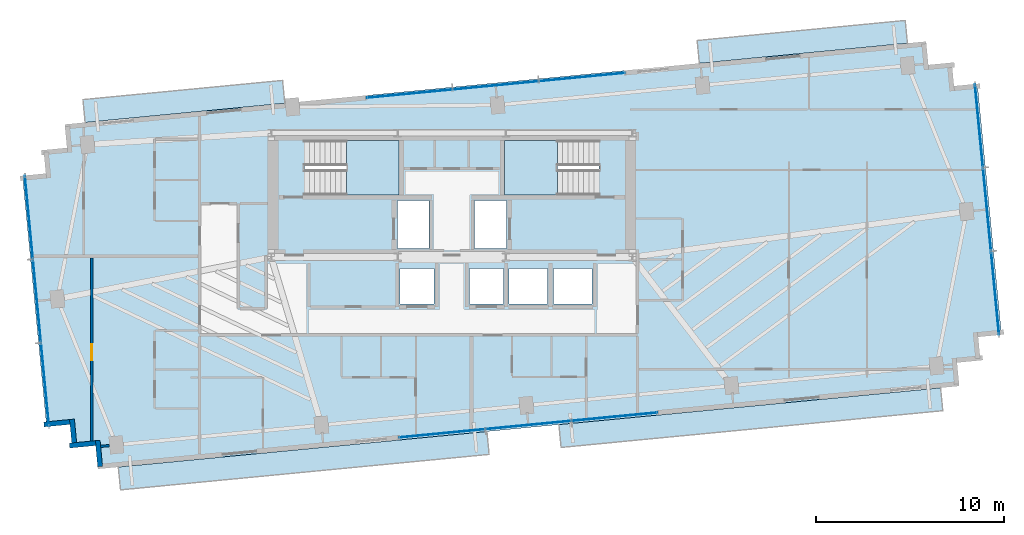
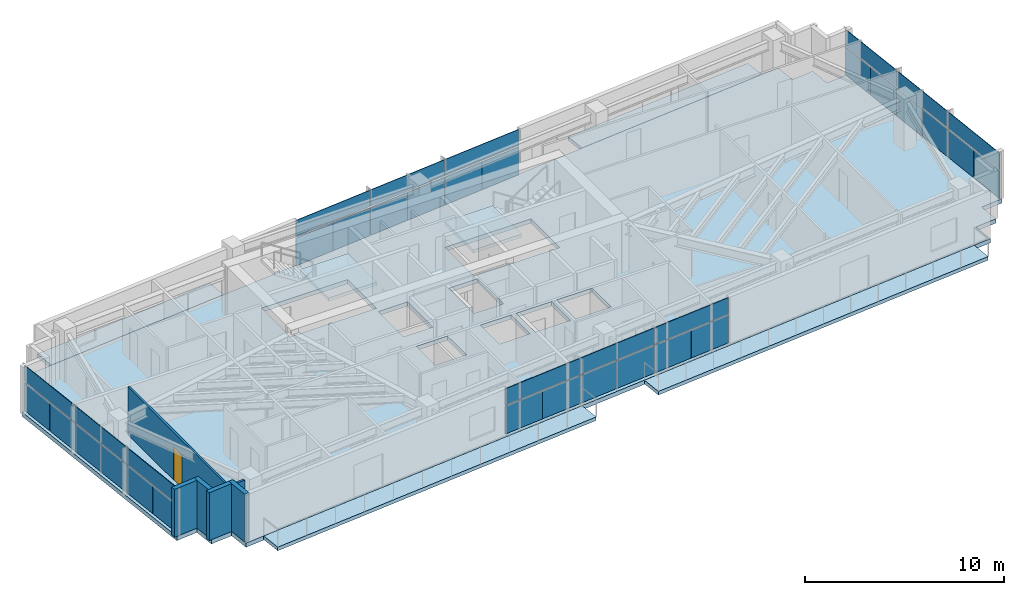
# One storey, part 12 of 18: 36 plates, 7 slabs, 6 walls, 1 door, 1 opening, 6 elements without a shape of their own.
"""IFC4 building model written with IfcOpenShell, lengths in metres."""

from ifc_helpers import new_model, si_unit, direction, frame, frame_2d, origin, origin_2d, place, context, subcontext, project, spatial, polyline, rectangle, outline, extrude, source, transform, mapped, material, layer, layer_set, type_object, type_shapes, element, fill, aggregate, save


model = new_model("IFC4")

# Units and contexts
model_context = context("Model", 3, precision=1e-05, world=origin(), true_north=direction((0.0, 1.0)))
body_context = subcontext(model_context, "Body", "Model", "MODEL_VIEW")
ifc_project = project(units=[si_unit("LENGTHUNIT", "METRE"), si_unit("AREAUNIT", "SQUARE_METRE"), si_unit("VOLUMEUNIT", "CUBIC_METRE"), si_unit("PLANEANGLEUNIT", "RADIAN"), si_unit("MASSUNIT", "GRAM", prefix="KILO")], contexts=[model_context])

# Site, building, storey
site_placement = place(None, origin())
site = spatial("IfcSite", under=ifc_project, at=site_placement, CompositionType="ELEMENT")
building_placement = place(site_placement, origin())
building = spatial("IfcBuilding", under=site, at=building_placement, Name="Astriad Promenade Condominiums", CompositionType="ELEMENT")
storey_placement = place(building_placement, frame((0.0, 0.0, 179.39990234375)))
storey = spatial("IfcBuildingStorey", under=building, at=storey_placement, Name="L51", CompositionType="ELEMENT", Elevation=179.39990234375)

# Slab
ifc_material_1 = material(Name="Concrete C50/60", Category="concrete")
ifc_layer_1 = layer(ifc_material_1, 0.260009765625)
ifc_layer_set_1 = layer_set([ifc_layer_1], Name="Concrete C50/60")
slab_type_1 = type_object("IfcSlabType", Name="CONCRETE TOWER FLOOR SLAB 260", PredefinedType="FLOOR", material=ifc_layer_set_1)
slab_1_placement = place(storey_placement, frame((0.0, 0.0, -0.260009765625)))
element("IfcSlab", 1, at=slab_1_placement, inside=storey, type_object=slab_type_1, Name="Structural Floor Slab (L51)", PredefinedType="FLOOR", context=body_context, shape_type="SweptSolid", body=[
    extrude(outline(polyline([(17.187744140625, 6.137939453125), (62.975830078125, 10.546875), (62.856201171875, 11.791015625), (64.100341796875, 11.910888671875), (63.98046875, 13.155029296875), (65.224853515625, 13.27490234375), (63.9404296875, 26.61328125), (62.6962890625, 26.493408203125), (62.576416015625, 27.73779296875), (61.33203125, 27.617919921875), (61.21240234375, 28.862060546875), (15.424072265625, 24.453125), (15.5439453125, 23.208984375), (14.2998046875, 23.089111328125), (14.41943359375, 21.844970703125), (13.17529296875, 21.72509765625), (14.459716796875, 8.38671875), (15.703857421875, 8.506591796875), (15.823486328125, 7.26220703125), (17.06787109375, 7.382080078125), (17.187744140625, 6.137939453125)]), holes=[polyline([(28.175048828125, 20.699951171875), (33.175048828125, 20.699951171875), (33.175048828125, 23.60009765625), (28.175048828125, 23.60009765625), (28.175048828125, 20.699951171875)]), polyline([(38.824951171875, 20.699951171875), (43.824951171875, 20.699951171875), (43.824951171875, 23.60009765625), (38.824951171875, 23.60009765625), (38.824951171875, 20.699951171875)]), polyline([(33.10009765625, 17.85009765625), (34.800048828125, 17.85009765625), (34.800048828125, 20.39990234375), (33.10009765625, 20.39990234375), (33.10009765625, 17.85009765625)]), polyline([(37.199951171875, 17.85009765625), (38.89990234375, 17.85009765625), (38.89990234375, 20.39990234375), (37.199951171875, 20.39990234375), (37.199951171875, 17.85009765625)]), polyline([(33.25, 14.89990234375), (35.050048828125, 14.89990234375), (35.050048828125, 16.800048828125), (33.25, 16.800048828125), (33.25, 14.89990234375)]), polyline([(36.949951171875, 14.89990234375), (38.75, 14.89990234375), (38.75, 16.800048828125), (36.949951171875, 16.800048828125), (36.949951171875, 14.89990234375)]), polyline([(39.050048828125, 14.89990234375), (41.10009765625, 14.89990234375), (41.10009765625, 16.800048828125), (39.050048828125, 16.800048828125), (39.050048828125, 14.89990234375)]), polyline([(41.39990234375, 14.89990234375), (43.449951171875, 14.89990234375), (43.449951171875, 16.800048828125), (41.39990234375, 16.800048828125), (41.39990234375, 14.89990234375)])]), origin(), (0.0, 0.0, 1.0), 0.260009765625),
])

# Stair, slab
stair_type = type_object("IfcStairType", Name="STR-CORE-1350", PredefinedType="HALF_TURN_STAIR", material=ifc_material_1)
stair_1_placement = place(storey_placement, origin())
stair_1 = element("IfcStair", 2, at=stair_1_placement, inside=storey, type_object=stair_type, Name="L51 Enclosed Core Exit Stair ST-1", PredefinedType="HALF_TURN_STAIR")
ifc_layer_2 = layer(ifc_material_1, 0.219970703125)
ifc_layer_set_2 = layer_set([ifc_layer_2], Name="Concrete C50/60")
slab_type_2 = type_object("IfcSlabType", Name="SLB-LANDING-220", PredefinedType="LANDING", material=ifc_layer_set_2)
slab_2_placement = place(storey_placement, frame((0.0, 0.0, 1.400146484375)))
slab_2 = element("IfcSlab", 3, at=slab_2_placement, type_object=slab_type_2, Name="ST-1 landing 1", PredefinedType="LANDING", context=body_context, shape_type="SweptSolid", body=[
    extrude(outline(polyline([(30.389892578125, 20.699951171875), (33.199951171875, 20.699951171875), (33.199951171875, 23.60009765625), (30.389892578125, 23.60009765625), (30.389892578125, 20.699951171875)])), origin(), (0.0, 0.0, 1.0), 0.199951171875),
])
aggregate(stair_1, [slab_2])

stair_2_placement = place(storey_placement, origin())
stair_2 = element("IfcStair", 4, at=stair_2_placement, inside=storey, type_object=stair_type, Name="L51 Enclosed Core Exit Stair ST-2", PredefinedType="HALF_TURN_STAIR")
slab_3_placement = place(storey_placement, frame((0.0, 0.0, 1.400146484375)))
slab_3 = element("IfcSlab", 5, at=slab_3_placement, type_object=slab_type_2, Name="ST-2 landing 1", PredefinedType="LANDING", context=body_context, shape_type="SweptSolid", body=[
    extrude(outline(polyline([(41.610107421875, 23.60009765625), (38.800048828125, 23.60009765625), (38.800048828125, 20.699951171875), (41.610107421875, 20.699951171875), (41.610107421875, 23.60009765625)])), origin(), (0.0, 0.0, 1.0), 0.199951171875),
])
aggregate(stair_2, [slab_3])

# Slabs
ifc_material_2 = material(Name="Precast concrete C50/60", Category="concrete")
ifc_layer_3 = layer(ifc_material_2, 0.219970703125)
ifc_layer_set_3 = layer_set([ifc_layer_3], Name="Precast concrete C50/60")
slab_type_3 = type_object("IfcSlabType", Name="WHITE PRECAST CONCRETE WAVE BALCONY SLAB 220", PredefinedType="FLOOR", material=ifc_layer_set_3)
slab_4_placement = place(storey_placement, frame((0.0, 0.0, -0.219970703125)))
element("IfcSlab", 6, at=slab_4_placement, inside=storey, type_object=slab_type_3, Name="White Precast Wave Balcony Slab BAL-L51-SW", PredefinedType="FLOOR", context=body_context, shape_type="SweptSolid", body=[
    extrude(outline(polyline([(37.98193359375, 6.91455078125), (18.388671875, 5.02783203125), (18.27197265625, 6.240234375), (37.865234375, 8.126953125), (37.98193359375, 6.91455078125)])), origin(), (0.0, 0.0, 1.0), 0.219970703125),
])
slab_5_placement = place(storey_placement, frame((0.0, 0.0, -0.219970703125)))
element("IfcSlab", 7, at=slab_5_placement, inside=storey, type_object=slab_type_3, Name="White Precast Wave Balcony Slab BAL-L51-SE", PredefinedType="FLOOR", context=body_context, shape_type="SweptSolid", body=[
    extrude(outline(polyline([(62.099365234375, 9.23681640625), (41.809326171875, 7.283203125), (41.6923828125, 8.495361328125), (61.982666015625, 10.44921875), (62.099365234375, 9.23681640625)])), origin(), (0.0, 0.0, 1.0), 0.219970703125),
])
slab_6_placement = place(storey_placement, frame((0.0, 0.0, -0.219970703125)))
element("IfcSlab", 8, at=slab_6_placement, inside=storey, type_object=slab_type_3, Name="White Precast Wave Balcony Slab BAL-L51-NW", PredefinedType="FLOOR", context=body_context, shape_type="SweptSolid", body=[
    extrude(outline(polyline([(16.508056640625, 24.5576171875), (27.1201171875, 25.579345703125), (27.003173828125, 26.793701171875), (16.39111328125, 25.77197265625), (16.508056640625, 24.5576171875)])), origin(), (0.0, 0.0, 1.0), 0.219970703125),
])
slab_7_placement = place(storey_placement, frame((0.0, 0.0, -0.219970703125)))
element("IfcSlab", 9, at=slab_7_placement, inside=storey, type_object=slab_type_3, Name="White Precast Wave Balcony Slab BAL-L51-NE", PredefinedType="FLOOR", context=body_context, shape_type="SweptSolid", body=[
    extrude(outline(polyline([(49.041259765625, 28.915771484375), (60.10205078125, 29.980712890625), (60.21875, 28.768310546875), (49.157958984375, 27.703369140625), (49.041259765625, 28.915771484375)])), origin(), (0.0, 0.0, 1.0), 0.219970703125),
])

# Curtain wall, plates
ifc_material_3 = material(Name="Anodised aluminium Black Dark Glass Unitised", Category="aluminium")
curtain_wall_type = type_object("IfcCurtainWallType", Name="CW-B34-DARK", PredefinedType="USERDEFINED", material=ifc_material_3)
curtain_wall_1_placement = place(storey_placement, origin())
curtain_wall_1 = element("IfcCurtainWall", 10, at=curtain_wall_1_placement, inside=storey, type_object=curtain_wall_type, Name="CW-L51-W", ObjectType="UNITISED_CURTAIN_WALL", PredefinedType="USERDEFINED")
ifc_material_4 = material(Name="Dark Tinted Low-E Laminated Glass", Category="glass")
ifc_layer_4 = layer(ifc_material_4, 0.035888671875)
ifc_layer_set_4 = layer_set([ifc_layer_4], Name="Dark Tinted Low-E Laminated Glass")
plate_type = type_object("IfcPlateType", Name="PNL-DARK-GLASS-36", PredefinedType="CURTAIN_PANEL", material=ifc_layer_set_4)
shared_shape_1 = source(origin(), body_context, "Body", "SweptSolid", [
    extrude(rectangle(XDim=2.22119140625, YDim=0.035888671875, at=origin_2d()), origin(), (0.0, 0.0, 1.0), 1.702880859375),
])
plate_1_placement = place(storey_placement, frame((14.48193359375, 9.5107421875, 0.080078125), z_axis=(0.0, 0.0, 1.0), x_axis=(-0.09584575252, 0.995396198367, 0.0)))
plate_1 = element("IfcPlate", 11, at=plate_1_placement, type_object=plate_type, Name="CW-L51-W-PNL-00-VL", PredefinedType="CURTAIN_PANEL", context=body_context, shape_type="MappedRepresentation", body=[
    mapped(shared_shape_1, transform((0.0, 0.0, 0.0), scale=1.0)),
])
plate_2_placement = place(storey_placement, frame((14.267822265625, 11.73388671875, 0.080078125), z_axis=(0.0, 0.0, 1.0), x_axis=(-0.09584575252, 0.995396198367, 0.0)))
plate_2 = element("IfcPlate", 12, at=plate_2_placement, type_object=plate_type, Name="CW-L51-W-PNL-00-VR", PredefinedType="CURTAIN_PANEL", context=body_context, shape_type="MappedRepresentation", body=[
    mapped(shared_shape_1, transform((0.0, 0.0, 0.0), scale=1.0)),
])
plate_3_placement = place(storey_placement, frame((14.053955078125, 13.956787109375, 0.080078125), z_axis=(0.0, 0.0, 1.0), x_axis=(-0.09584575252, 0.995396198367, 0.0)))
plate_3 = element("IfcPlate", 13, at=plate_3_placement, type_object=plate_type, Name="CW-L51-W-PNL-01-VL", PredefinedType="CURTAIN_PANEL", context=body_context, shape_type="MappedRepresentation", body=[
    mapped(shared_shape_1, transform((0.0, 0.0, 0.0), scale=1.0)),
])
plate_4_placement = place(storey_placement, frame((13.839599609375, 16.179931640625, 0.080078125), z_axis=(0.0, 0.0, 1.0), x_axis=(-0.09584575252, 0.995396198367, 0.0)))
plate_4 = element("IfcPlate", 14, at=plate_4_placement, type_object=plate_type, Name="CW-L51-W-PNL-01-VR", PredefinedType="CURTAIN_PANEL", context=body_context, shape_type="MappedRepresentation", body=[
    mapped(shared_shape_1, transform((0.0, 0.0, 0.0), scale=1.0)),
])
plate_5_placement = place(storey_placement, frame((13.625732421875, 18.403076171875, 0.080078125), z_axis=(0.0, 0.0, 1.0), x_axis=(-0.09584575252, 0.995396198367, 0.0)))
plate_5 = element("IfcPlate", 15, at=plate_5_placement, type_object=plate_type, Name="CW-L51-W-PNL-02-VL", PredefinedType="CURTAIN_PANEL", context=body_context, shape_type="MappedRepresentation", body=[
    mapped(shared_shape_1, transform((0.0, 0.0, 0.0), scale=1.0)),
])
plate_6_placement = place(storey_placement, frame((13.41162109375, 20.626220703125, 0.080078125), z_axis=(0.0, 0.0, 1.0), x_axis=(-0.09584575252, 0.995396198367, 0.0)))
plate_6 = element("IfcPlate", 16, at=plate_6_placement, type_object=plate_type, Name="CW-L51-W-PNL-02-VR", PredefinedType="CURTAIN_PANEL", context=body_context, shape_type="MappedRepresentation", body=[
    mapped(shared_shape_1, transform((0.0, 0.0, 0.0), scale=1.0)),
])

curtain_wall_2_placement = place(storey_placement, origin())
curtain_wall_2 = element("IfcCurtainWall", 17, at=curtain_wall_2_placement, inside=storey, type_object=curtain_wall_type, Name="CW-L51-E", ObjectType="UNITISED_CURTAIN_WALL", PredefinedType="USERDEFINED")
plate_7_placement = place(storey_placement, frame((63.91796875, 25.4892578125, 0.080078125), z_axis=(0.0, 0.0, 1.0), x_axis=(0.09584575252, -0.995396198367, 0.0)))
plate_7 = element("IfcPlate", 18, at=plate_7_placement, type_object=plate_type, Name="CW-L51-E-PNL-00-VL", PredefinedType="CURTAIN_PANEL", context=body_context, shape_type="MappedRepresentation", body=[
    mapped(shared_shape_1, transform((0.0, 0.0, 0.0), scale=1.0)),
])
plate_8_placement = place(storey_placement, frame((64.132080078125, 23.26611328125, 0.080078125), z_axis=(0.0, 0.0, 1.0), x_axis=(0.09584575252, -0.995396198367, 0.0)))
plate_8 = element("IfcPlate", 19, at=plate_8_placement, type_object=plate_type, Name="CW-L51-E-PNL-00-VR", PredefinedType="CURTAIN_PANEL", context=body_context, shape_type="MappedRepresentation", body=[
    mapped(shared_shape_1, transform((0.0, 0.0, 0.0), scale=1.0)),
])
plate_9_placement = place(storey_placement, frame((64.34619140625, 21.043212890625, 0.080078125), z_axis=(0.0, 0.0, 1.0), x_axis=(0.09584575252, -0.995396198367, 0.0)))
plate_9 = element("IfcPlate", 20, at=plate_9_placement, type_object=plate_type, Name="CW-L51-E-PNL-01-VL", PredefinedType="CURTAIN_PANEL", context=body_context, shape_type="MappedRepresentation", body=[
    mapped(shared_shape_1, transform((0.0, 0.0, 0.0), scale=1.0)),
])
plate_10_placement = place(storey_placement, frame((64.560302734375, 18.820068359375, 0.080078125), z_axis=(0.0, 0.0, 1.0), x_axis=(0.09584575252, -0.995396198367, 0.0)))
plate_10 = element("IfcPlate", 21, at=plate_10_placement, type_object=plate_type, Name="CW-L51-E-PNL-01-VR", PredefinedType="CURTAIN_PANEL", context=body_context, shape_type="MappedRepresentation", body=[
    mapped(shared_shape_1, transform((0.0, 0.0, 0.0), scale=1.0)),
])
plate_11_placement = place(storey_placement, frame((64.7744140625, 16.596923828125, 0.080078125), z_axis=(0.0, 0.0, 1.0), x_axis=(0.09584575252, -0.995396198367, 0.0)))
plate_11 = element("IfcPlate", 22, at=plate_11_placement, type_object=plate_type, Name="CW-L51-E-PNL-02-VL", PredefinedType="CURTAIN_PANEL", context=body_context, shape_type="MappedRepresentation", body=[
    mapped(shared_shape_1, transform((0.0, 0.0, 0.0), scale=1.0)),
])
plate_12_placement = place(storey_placement, frame((64.98828125, 14.373779296875, 0.080078125), z_axis=(0.0, 0.0, 1.0), x_axis=(0.09584575252, -0.995396198367, 0.0)))
plate_12 = element("IfcPlate", 23, at=plate_12_placement, type_object=plate_type, Name="CW-L51-E-PNL-02-VR", PredefinedType="CURTAIN_PANEL", context=body_context, shape_type="MappedRepresentation", body=[
    mapped(shared_shape_1, transform((0.0, 0.0, 0.0), scale=1.0)),
])

# Plate
shared_shape_2 = source(origin(), body_context, "Body", "SweptSolid", [
    extrude(rectangle(XDim=4.45458984375, YDim=0.035888671875, at=origin_2d()), origin(), (0.0, 0.0, 1.0), 0.997314453125),
])
plate_13_placement = place(storey_placement, frame((14.375, 10.622314453125, 1.86279296875), z_axis=(0.0, 0.0, 1.0), x_axis=(-0.09584575252, 0.995396198367, 0.0)))
plate_13 = element("IfcPlate", 24, at=plate_13_placement, type_object=plate_type, Name="CW-L51-W-PNL-00-S", PredefinedType="CURTAIN_PANEL", context=body_context, shape_type="MappedRepresentation", body=[
    mapped(shared_shape_2, transform((0.0, 0.0, 0.0), scale=1.0)),
])

plate_14_placement = place(storey_placement, frame((13.94677734375, 15.068359375, 1.86279296875), z_axis=(0.0, 0.0, 1.0), x_axis=(-0.09584575252, 0.995396198367, 0.0)))
plate_14 = element("IfcPlate", 25, at=plate_14_placement, type_object=plate_type, Name="CW-L51-W-PNL-01-S", PredefinedType="CURTAIN_PANEL", context=body_context, shape_type="MappedRepresentation", body=[
    mapped(shared_shape_2, transform((0.0, 0.0, 0.0), scale=1.0)),
])

plate_15_placement = place(storey_placement, frame((13.518798828125, 19.514404296875, 1.86279296875), z_axis=(0.0, 0.0, 1.0), x_axis=(-0.09584575252, 0.995396198367, 0.0)))
plate_15 = element("IfcPlate", 26, at=plate_15_placement, type_object=plate_type, Name="CW-L51-W-PNL-02-S", PredefinedType="CURTAIN_PANEL", context=body_context, shape_type="MappedRepresentation", body=[
    mapped(shared_shape_2, transform((0.0, 0.0, 0.0), scale=1.0)),
])

aggregate(curtain_wall_1, [plate_1, plate_2, plate_13, plate_3, plate_4, plate_14, plate_5, plate_6, plate_15])

plate_16_placement = place(storey_placement, frame((64.02490234375, 24.377685546875, 1.86279296875), z_axis=(0.0, 0.0, 1.0), x_axis=(0.09584575252, -0.995396198367, 0.0)))
plate_16 = element("IfcPlate", 27, at=plate_16_placement, type_object=plate_type, Name="CW-L51-E-PNL-00-S", PredefinedType="CURTAIN_PANEL", context=body_context, shape_type="MappedRepresentation", body=[
    mapped(shared_shape_2, transform((0.0, 0.0, 0.0), scale=1.0)),
])

plate_17_placement = place(storey_placement, frame((64.453125, 19.931640625, 1.86279296875), z_axis=(0.0, 0.0, 1.0), x_axis=(0.09584575252, -0.995396198367, 0.0)))
plate_17 = element("IfcPlate", 28, at=plate_17_placement, type_object=plate_type, Name="CW-L51-E-PNL-01-S", PredefinedType="CURTAIN_PANEL", context=body_context, shape_type="MappedRepresentation", body=[
    mapped(shared_shape_2, transform((0.0, 0.0, 0.0), scale=1.0)),
])

plate_18_placement = place(storey_placement, frame((64.88134765625, 15.485595703125, 1.86279296875), z_axis=(0.0, 0.0, 1.0), x_axis=(0.09584575252, -0.995396198367, 0.0)))
plate_18 = element("IfcPlate", 29, at=plate_18_placement, type_object=plate_type, Name="CW-L51-E-PNL-02-S", PredefinedType="CURTAIN_PANEL", context=body_context, shape_type="MappedRepresentation", body=[
    mapped(shared_shape_2, transform((0.0, 0.0, 0.0), scale=1.0)),
])

aggregate(curtain_wall_2, [plate_7, plate_8, plate_16, plate_9, plate_10, plate_17, plate_11, plate_12, plate_18])

# Curtain wall, plates
curtain_wall_3_placement = place(storey_placement, origin())
curtain_wall_3 = element("IfcCurtainWall", 30, at=curtain_wall_3_placement, inside=storey, type_object=curtain_wall_type, Name="CW-L51-N", ObjectType="UNITISED_CURTAIN_WALL", PredefinedType="USERDEFINED")
shared_shape_3 = source(origin(), body_context, "Body", "SweptSolid", [
    extrude(rectangle(XDim=2.2880859375, YDim=0.035888671875, at=origin_2d()), origin(), (0.0, 0.0, 1.0), 1.702880859375),
])
plate_19_placement = place(storey_placement, frame((32.607177734375, 25.97705078125, 0.080078125), z_axis=(0.0, 0.0, 1.0), x_axis=(0.995396198367, 0.09584575252, 0.0)))
plate_19 = element("IfcPlate", 31, at=plate_19_placement, type_object=plate_type, Name="CW-L51-N-PNL-00-VL", PredefinedType="CURTAIN_PANEL", context=body_context, shape_type="MappedRepresentation", body=[
    mapped(shared_shape_3, transform((0.0, 0.0, 0.0), scale=1.0)),
])
plate_20_placement = place(storey_placement, frame((34.896484375, 26.197509765625, 0.080078125), z_axis=(0.0, 0.0, 1.0), x_axis=(0.995396198367, 0.09584575252, 0.0)))
plate_20 = element("IfcPlate", 32, at=plate_20_placement, type_object=plate_type, Name="CW-L51-N-PNL-00-VR", PredefinedType="CURTAIN_PANEL", context=body_context, shape_type="MappedRepresentation", body=[
    mapped(shared_shape_3, transform((0.0, 0.0, 0.0), scale=1.0)),
])
plate_21_placement = place(storey_placement, frame((37.18603515625, 26.41796875, 0.080078125), z_axis=(0.0, 0.0, 1.0), x_axis=(0.995396198367, 0.09584575252, 0.0)))
plate_21 = element("IfcPlate", 33, at=plate_21_placement, type_object=plate_type, Name="CW-L51-N-PNL-01-VL", PredefinedType="CURTAIN_PANEL", context=body_context, shape_type="MappedRepresentation", body=[
    mapped(shared_shape_3, transform((0.0, 0.0, 0.0), scale=1.0)),
])
plate_22_placement = place(storey_placement, frame((39.475341796875, 26.638427734375, 0.080078125), z_axis=(0.0, 0.0, 1.0), x_axis=(0.995396198367, 0.09584575252, 0.0)))
plate_22 = element("IfcPlate", 34, at=plate_22_placement, type_object=plate_type, Name="CW-L51-N-PNL-01-VR", PredefinedType="CURTAIN_PANEL", context=body_context, shape_type="MappedRepresentation", body=[
    mapped(shared_shape_3, transform((0.0, 0.0, 0.0), scale=1.0)),
])
plate_23_placement = place(storey_placement, frame((41.764892578125, 26.85888671875, 0.080078125), z_axis=(0.0, 0.0, 1.0), x_axis=(0.995396198367, 0.09584575252, 0.0)))
plate_23 = element("IfcPlate", 35, at=plate_23_placement, type_object=plate_type, Name="CW-L51-N-PNL-02-VL", PredefinedType="CURTAIN_PANEL", context=body_context, shape_type="MappedRepresentation", body=[
    mapped(shared_shape_3, transform((0.0, 0.0, 0.0), scale=1.0)),
])
plate_24_placement = place(storey_placement, frame((44.05419921875, 27.079345703125, 0.080078125), z_axis=(0.0, 0.0, 1.0), x_axis=(0.995396198367, 0.09584575252, 0.0)))
plate_24 = element("IfcPlate", 36, at=plate_24_placement, type_object=plate_type, Name="CW-L51-N-PNL-02-VR", PredefinedType="CURTAIN_PANEL", context=body_context, shape_type="MappedRepresentation", body=[
    mapped(shared_shape_3, transform((0.0, 0.0, 0.0), scale=1.0)),
])

curtain_wall_4_placement = place(storey_placement, origin())
curtain_wall_4 = element("IfcCurtainWall", 37, at=curtain_wall_4_placement, inside=storey, type_object=curtain_wall_type, Name="CW-L51-S", ObjectType="UNITISED_CURTAIN_WALL", PredefinedType="USERDEFINED")
plate_25_placement = place(storey_placement, frame((45.792724609375, 9.02294921875, 0.080078125), z_axis=(0.0, 0.0, 1.0), x_axis=(-0.995396198367, -0.09584575252, 0.0)))
plate_25 = element("IfcPlate", 38, at=plate_25_placement, type_object=plate_type, Name="CW-L51-S-PNL-00-VL", PredefinedType="CURTAIN_PANEL", context=body_context, shape_type="MappedRepresentation", body=[
    mapped(shared_shape_3, transform((0.0, 0.0, 0.0), scale=1.0)),
])
plate_26_placement = place(storey_placement, frame((43.50341796875, 8.802490234375, 0.080078125), z_axis=(0.0, 0.0, 1.0), x_axis=(-0.995396198367, -0.09584575252, 0.0)))
plate_26 = element("IfcPlate", 39, at=plate_26_placement, type_object=plate_type, Name="CW-L51-S-PNL-00-VR", PredefinedType="CURTAIN_PANEL", context=body_context, shape_type="MappedRepresentation", body=[
    mapped(shared_shape_3, transform((0.0, 0.0, 0.0), scale=1.0)),
])
plate_27_placement = place(storey_placement, frame((41.214111328125, 8.58203125, 0.080078125), z_axis=(0.0, 0.0, 1.0), x_axis=(-0.995396198367, -0.09584575252, 0.0)))
plate_27 = element("IfcPlate", 40, at=plate_27_placement, type_object=plate_type, Name="CW-L51-S-PNL-01-VL", PredefinedType="CURTAIN_PANEL", context=body_context, shape_type="MappedRepresentation", body=[
    mapped(shared_shape_3, transform((0.0, 0.0, 0.0), scale=1.0)),
])
plate_28_placement = place(storey_placement, frame((38.924560546875, 8.361572265625, 0.080078125), z_axis=(0.0, 0.0, 1.0), x_axis=(-0.995396198367, -0.09584575252, 0.0)))
plate_28 = element("IfcPlate", 41, at=plate_28_placement, type_object=plate_type, Name="CW-L51-S-PNL-01-VR", PredefinedType="CURTAIN_PANEL", context=body_context, shape_type="MappedRepresentation", body=[
    mapped(shared_shape_3, transform((0.0, 0.0, 0.0), scale=1.0)),
])
plate_29_placement = place(storey_placement, frame((36.63525390625, 8.14111328125, 0.080078125), z_axis=(0.0, 0.0, 1.0), x_axis=(-0.995396198367, -0.09584575252, 0.0)))
plate_29 = element("IfcPlate", 42, at=plate_29_placement, type_object=plate_type, Name="CW-L51-S-PNL-02-VL", PredefinedType="CURTAIN_PANEL", context=body_context, shape_type="MappedRepresentation", body=[
    mapped(shared_shape_3, transform((0.0, 0.0, 0.0), scale=1.0)),
])
plate_30_placement = place(storey_placement, frame((34.345703125, 7.920654296875, 0.080078125), z_axis=(0.0, 0.0, 1.0), x_axis=(-0.995396198367, -0.09584575252, 0.0)))
plate_30 = element("IfcPlate", 43, at=plate_30_placement, type_object=plate_type, Name="CW-L51-S-PNL-02-VR", PredefinedType="CURTAIN_PANEL", context=body_context, shape_type="MappedRepresentation", body=[
    mapped(shared_shape_3, transform((0.0, 0.0, 0.0), scale=1.0)),
])

# Plate
shared_shape_4 = source(origin(), body_context, "Body", "SweptSolid", [
    extrude(rectangle(XDim=4.587890625, YDim=0.035888671875, at=origin_2d()), origin(), (0.0, 0.0, 1.0), 0.997314453125),
])
type_shapes(plate_type, [shared_shape_1, shared_shape_2, shared_shape_3, shared_shape_4])
plate_31_placement = place(storey_placement, frame((33.751953125, 26.08740234375, 1.86279296875), z_axis=(0.0, 0.0, 1.0), x_axis=(0.995396198367, 0.09584575252, 0.0)))
plate_31 = element("IfcPlate", 44, at=plate_31_placement, type_object=plate_type, Name="CW-L51-N-PNL-00-S", PredefinedType="CURTAIN_PANEL", context=body_context, shape_type="MappedRepresentation", body=[
    mapped(shared_shape_4, transform((0.0, 0.0, 0.0), scale=1.0)),
])

plate_32_placement = place(storey_placement, frame((38.330810546875, 26.5283203125, 1.86279296875), z_axis=(0.0, 0.0, 1.0), x_axis=(0.995396198367, 0.09584575252, 0.0)))
plate_32 = element("IfcPlate", 45, at=plate_32_placement, type_object=plate_type, Name="CW-L51-N-PNL-01-S", PredefinedType="CURTAIN_PANEL", context=body_context, shape_type="MappedRepresentation", body=[
    mapped(shared_shape_4, transform((0.0, 0.0, 0.0), scale=1.0)),
])

plate_33_placement = place(storey_placement, frame((42.909423828125, 26.968994140625, 1.86279296875), z_axis=(0.0, 0.0, 1.0), x_axis=(0.995396198367, 0.09584575252, 0.0)))
plate_33 = element("IfcPlate", 46, at=plate_33_placement, type_object=plate_type, Name="CW-L51-N-PNL-02-S", PredefinedType="CURTAIN_PANEL", context=body_context, shape_type="MappedRepresentation", body=[
    mapped(shared_shape_4, transform((0.0, 0.0, 0.0), scale=1.0)),
])

aggregate(curtain_wall_3, [plate_19, plate_20, plate_31, plate_21, plate_22, plate_32, plate_23, plate_24, plate_33])

plate_34_placement = place(storey_placement, frame((44.648193359375, 8.91259765625, 1.86279296875), z_axis=(0.0, 0.0, 1.0), x_axis=(-0.995396198367, -0.09584575252, 0.0)))
plate_34 = element("IfcPlate", 47, at=plate_34_placement, type_object=plate_type, Name="CW-L51-S-PNL-00-S", PredefinedType="CURTAIN_PANEL", context=body_context, shape_type="MappedRepresentation", body=[
    mapped(shared_shape_4, transform((0.0, 0.0, 0.0), scale=1.0)),
])

plate_35_placement = place(storey_placement, frame((40.0693359375, 8.4716796875, 1.86279296875), z_axis=(0.0, 0.0, 1.0), x_axis=(-0.995396198367, -0.09584575252, 0.0)))
plate_35 = element("IfcPlate", 48, at=plate_35_placement, type_object=plate_type, Name="CW-L51-S-PNL-01-S", PredefinedType="CURTAIN_PANEL", context=body_context, shape_type="MappedRepresentation", body=[
    mapped(shared_shape_4, transform((0.0, 0.0, 0.0), scale=1.0)),
])

plate_36_placement = place(storey_placement, frame((35.490478515625, 8.031005859375, 1.86279296875), z_axis=(0.0, 0.0, 1.0), x_axis=(-0.995396198367, -0.09584575252, 0.0)))
plate_36 = element("IfcPlate", 49, at=plate_36_placement, type_object=plate_type, Name="CW-L51-S-PNL-02-S", PredefinedType="CURTAIN_PANEL", context=body_context, shape_type="MappedRepresentation", body=[
    mapped(shared_shape_4, transform((0.0, 0.0, 0.0), scale=1.0)),
])

aggregate(curtain_wall_4, [plate_25, plate_26, plate_34, plate_27, plate_28, plate_35, plate_29, plate_30, plate_36])

# Walls
ifc_layer_5 = layer(ifc_material_2, 0.260009765625)
ifc_layer_set_5 = layer_set([ifc_layer_5], Name="Precast concrete C50/60")
wall_type_1 = type_object("IfcWallType", Name="WALL-EXT-TWR-260", PredefinedType="STANDARD", material=ifc_layer_set_5)
wall_1_placement = place(storey_placement, frame((17.0703125, 7.512939453125, 0.0), z_axis=(0.0, 0.0, 1.0), x_axis=(-0.995391056452, -0.09589913835, 0.0)))
element("IfcWall", 50, at=wall_1_placement, inside=storey, type_object=wall_type_1, Name="W-SER-L51-00", PredefinedType="STANDARD", context=body_context, shape_type="SweptSolid", body=[
    extrude(rectangle(XDim=1.39501953125, YDim=0.260009765625, at=frame_2d((0.697509765625, 0.0))), origin(), (0.0, 0.0, 1.0), 2.940185546875),
])
wall_2_placement = place(storey_placement, frame((15.94189453125, 7.389404296875, 0.0), z_axis=(0.0, 0.0, 1.0), x_axis=(-0.095742423056, 0.99540614245, 0.0)))
element("IfcWall", 51, at=wall_2_placement, inside=storey, type_object=wall_type_1, Name="W-SER-L51-01", PredefinedType="STANDARD", context=body_context, shape_type="SweptSolid", body=[
    extrude(rectangle(XDim=1.394775390625, YDim=0.260009765625, at=frame_2d((0.697265625, 0.0))), origin(), (0.0, 0.0, 1.0), 2.940185546875),
])
wall_3_placement = place(storey_placement, frame((15.706298828125, 8.637451171875, 0.0), z_axis=(0.0, 0.0, 1.0), x_axis=(-0.995391056452, -0.09589913835, 0.0)))
element("IfcWall", 52, at=wall_3_placement, inside=storey, type_object=wall_type_1, Name="W-SER-L51-02", PredefinedType="STANDARD", context=body_context, shape_type="SweptSolid", body=[
    extrude(rectangle(XDim=1.39501953125, YDim=0.260009765625, at=frame_2d((0.697509765625, 0.0))), origin(), (0.0, 0.0, 1.0), 2.940185546875),
])
wall_4_placement = place(storey_placement, frame((17.30615234375, 6.264892578125, 0.0), z_axis=(0.0, 0.0, 1.0), x_axis=(-0.095915846097, 0.995389446633, 0.0)))
element("IfcWall", 53, at=wall_4_placement, inside=storey, type_object=wall_type_1, Name="W-SER-L51-19", PredefinedType="STANDARD", context=body_context, shape_type="SweptSolid", body=[
    extrude(rectangle(XDim=1.394775390625, YDim=0.260009765625, at=frame_2d((0.697265625, 0.0))), origin(), (0.0, 0.0, 1.0), 2.940185546875),
])

# Wall, opening, door
ifc_material_5 = material(Name="Acoustic Metal-Stud Gypsum Partition")
ifc_layer_6 = layer(ifc_material_5, 0.1201171875)
ifc_layer_set_6 = layer_set([ifc_layer_6], Name="Acoustic Metal-Stud Gypsum Partition")
wall_type_2 = type_object("IfcWallType", Name="WALL-PART-120", PredefinedType="PARTITIONING", material=ifc_layer_set_6)
wall_5_placement = place(storey_placement, frame((16.85693359375, 7.625, 0.0), z_axis=(0.0, 0.0, 1.0), x_axis=(0.0, 1.0, 0.0)))
wall_5 = element("IfcWall", 54, at=wall_5_placement, inside=storey, type_object=wall_type_2, Name="PT-L51-W1-B1", PredefinedType="PARTITIONING", context=body_context, shape_type="SweptSolid", body=[
    extrude(rectangle(XDim=9.722900390625, YDim=0.1201171875, at=frame_2d((4.861328125, 0.0))), origin(), (0.0, 0.0, 1.0), 2.940185546875),
])
opening_placement = place(wall_5_placement, frame((4.2890625, 0.0, 0.0)))
opening = element("IfcOpeningElement", 55, at=opening_placement, cuts=wall_5, Name="Opening D-INT-085", PredefinedType="OPENING", context=body_context, shape_type="SweptSolid", body=[
    extrude(rectangle(XDim=0.85009765625, YDim=2.050048828125, at=frame_2d((0.425048828125, 1.02490234375))), frame((0.0, 0.070068359375, 0.0), z_axis=(0.0, -1.0, 0.0), x_axis=(1.0, 0.0, 0.0)), (0.0, 0.0, 1.0), 0.14013671875),
])
ifc_material_6 = material(Name="Painted Solid-Core Timber Room Door", Category="wood")
door_type = type_object("IfcDoorType", Name="D-INT-085", OperationType="NOTDEFINED", PredefinedType="DOOR", material=ifc_material_6)
shared_shape_5 = source(origin(), body_context, "Body", "SweptSolid", [
    extrude(rectangle(XDim=0.85009765625, YDim=2.050048828125, at=frame_2d((0.425048828125, 1.02490234375))), frame((0.0, 0.02490234375, 0.0), z_axis=(0.0, -1.0, 0.0), x_axis=(1.0, 0.0, 0.0)), (0.0, 0.0, 1.0), 0.050048828125),
])
type_shapes(door_type, [shared_shape_5])
door_placement = place(opening_placement, origin())
door = element("IfcDoor", 56, at=door_placement, inside=storey, type_object=door_type, Name="D-BD1-L51-W1", OperationType="SINGLE_SWING_LEFT", OverallHeight=2.050048828125, OverallWidth=0.85009765625, PredefinedType="DOOR", context=body_context, shape_type="MappedRepresentation", body=[
    mapped(shared_shape_5, transform((0.0, 0.0, 0.0), scale=1.0)),
])
fill(opening, door)

# Wall
wall_6_placement = place(storey_placement, frame((17.791259765625, 7.381591796875, 0.0), z_axis=(0.0, 0.0, 1.0), x_axis=(-0.995384576284, -0.09596637586, 0.0)))
element("IfcWall", 57, at=wall_6_placement, inside=storey, type_object=wall_type_2, Name="PT-PIL-L51-PC01-8", PredefinedType="PARTITIONING", context=body_context, shape_type="SweptSolid", body=[
    extrude(rectangle(XDim=0.4580078125, YDim=0.1201171875, at=frame_2d((0.22900390625, 0.0))), origin(), (0.0, 0.0, 1.0), 2.940185546875),
])

save(model, "model.ifc")
